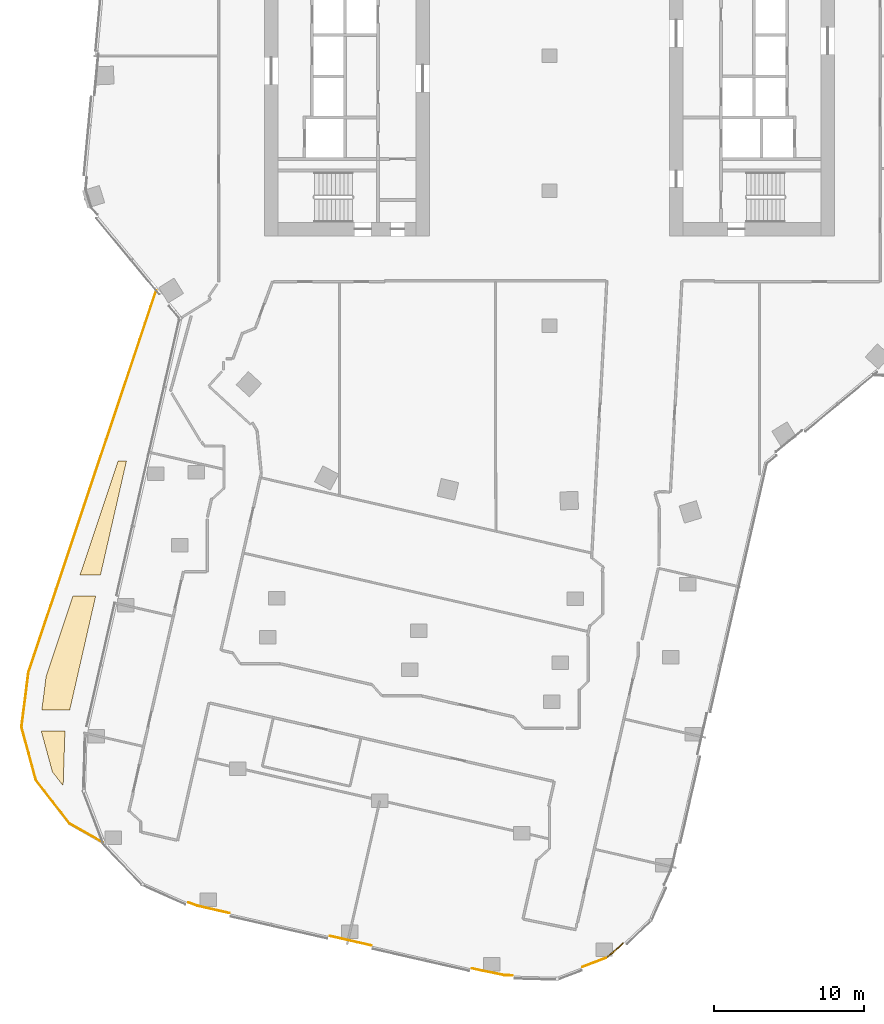
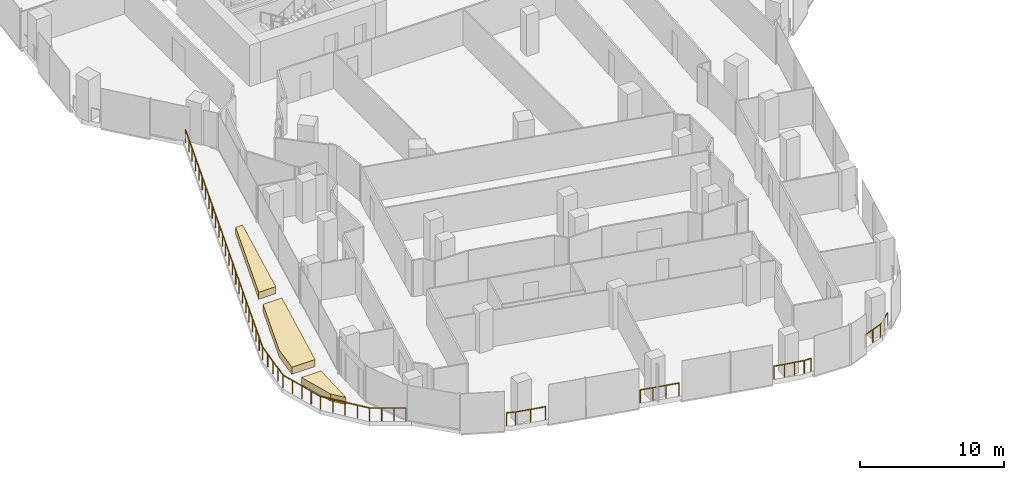
# One storey, part 24 of 28: 8 railings, 3 coverings.
"""IFC4 building model written with IfcOpenShell, lengths in metres."""

from ifc_helpers import new_model, si_unit, direction, frame, origin, origin_2d, place, context, subcontext, project, spatial, polyline, circle, outline, extrude, material, layer, layer_set, type_object, element, save


model = new_model("IFC4")

# Units and contexts
model_context = context("Model", 3, precision=1e-05, world=origin(), true_north=direction((0.0, 1.0)))
body_context = subcontext(model_context, "Body", "Model", "MODEL_VIEW")
ifc_project = project(units=[si_unit("LENGTHUNIT", "METRE"), si_unit("AREAUNIT", "SQUARE_METRE"), si_unit("VOLUMEUNIT", "CUBIC_METRE"), si_unit("PLANEANGLEUNIT", "RADIAN"), si_unit("MASSUNIT", "GRAM", prefix="KILO")], contexts=[model_context])

# Site, building, storey
site_placement = place(None, origin())
site = spatial("IfcSite", under=ifc_project, at=site_placement, CompositionType="ELEMENT")
building_placement = place(site_placement, origin())
building = spatial("IfcBuilding", under=site, at=building_placement, Name="Orlundy Tower", CompositionType="ELEMENT")
storey_placement = place(building_placement, frame((0.0, 0.0, 167.10009765625)))
storey = spatial("IfcBuildingStorey", under=building, at=storey_placement, Name="L43", CompositionType="ELEMENT", Elevation=167.10009765625)

# Coverings
ifc_material_1 = material(Name="Planted soil in precast concrete trough", Category="concrete")
ifc_layer = layer(ifc_material_1, 0.60009765625)
ifc_layer_set = layer_set([ifc_layer], Name="PLANTER box")
covering_type = type_object("IfcCoveringType", Name="PLANTER box", PredefinedType="USERDEFINED", material=ifc_layer_set)
covering_1_placement = place(storey_placement, origin())
element("IfcCovering", 1, at=covering_1_placement, inside=storey, type_object=covering_type, Name="PLANTER L43-10", ObjectType="PLANTER", PredefinedType="USERDEFINED", context=body_context, shape_type="SweptSolid", body=[
    extrude(outline(polyline([(-32.301025390625, -45.0), (-32.423095703125, -48.656982421875), (-33.138916015625, -47.73193359375), (-33.883056640625, -45.0), (-32.301025390625, -45.0)])), origin(), (0.0, 0.0, 1.0), 0.599853515625),
])
covering_2_placement = place(storey_placement, origin())
element("IfcCovering", 2, at=covering_2_placement, inside=storey, type_object=covering_type, Name="PLANTER L43-11", ObjectType="PLANTER", PredefinedType="USERDEFINED", context=body_context, shape_type="SweptSolid", body=[
    extrude(outline(polyline([(-33.55908203125, -41.361083984375), (-31.764892578125, -36.0), (-30.2509765625, -36.0), (-31.98193359375, -43.60009765625), (-33.843017578125, -43.60009765625), (-33.55908203125, -41.361083984375)])), origin(), (0.0, 0.0, 1.0), 0.599853515625),
])
covering_3_placement = place(storey_placement, origin())
element("IfcCovering", 3, at=covering_3_placement, inside=storey, type_object=covering_type, Name="PLANTER L43-12", ObjectType="PLANTER", PredefinedType="USERDEFINED", context=body_context, shape_type="SweptSolid", body=[
    extrude(outline(polyline([(-28.7529296875, -27.0), (-28.200927734375, -27.0), (-29.93310546875, -34.60009765625), (-31.297119140625, -34.60009765625), (-28.7529296875, -27.0)])), origin(), (0.0, 0.0, 1.0), 0.599853515625),
])

# Railings
ifc_material_2 = material(Name="Stainless steel bronze finish", Category="steel")
railing_type = type_object("IfcRailingType", Name="TG1 terrace guard", PredefinedType="GUARDRAIL", material=ifc_material_2)
railing_1_placement = place(storey_placement, frame((3.765869140625, -60.134033203125, 0.0)))
element("IfcRailing", 4, at=railing_1_placement, inside=storey, type_object=railing_type, Name="Guard TG-L43-E01", PredefinedType="GUARDRAIL", context=body_context, shape_type="SweptSolid", body=[
    extrude(circle(Radius=0.02490234375, at=origin_2d()), frame((0.0, 0.0, 1.09521484375), z_axis=(0.758971619654, 0.651123706034, 0.0), x_axis=(-0.651123706034, 0.758971619654, 0.0)), (0.0, 0.0, 1.0), 1.51220703125),
    extrude(circle(Radius=0.02490234375, at=origin_2d()), frame((1.147705078125, 0.984619140625, 1.09521484375), z_axis=(-0.726367191672, -0.687306847676, 0.0), x_axis=(0.687306847676, -0.726367191672, 0.0)), (0.0, 0.0, 1.0), 0.94384765625),
    extrude(circle(Radius=0.02490234375, at=origin_2d()), frame((0.462158203125, 0.3359375, 1.09521484375), z_axis=(-0.808963181077, -0.587859312813, 0.0), x_axis=(0.587859312813, -0.808963181077, 0.0)), (0.0, 0.0, 1.0), 0.51123046875),
    extrude(circle(Radius=0.02001953125, at=origin_2d()), origin(), (0.0, 0.0, 1.0), 1.070068359375),
    extrude(circle(Radius=0.02001953125, at=origin_2d()), frame((0.57373046875, 0.4921875, 0.0)), (0.0, 0.0, 1.0), 1.070068359375),
    extrude(circle(Radius=0.02001953125, at=origin_2d()), frame((1.147705078125, 0.984619140625, 0.0)), (0.0, 0.0, 1.0), 1.070068359375),
    extrude(circle(Radius=0.02001953125, at=origin_2d()), frame((0.462158203125, 0.3359375, 0.0)), (0.0, 0.0, 1.0), 1.070068359375),
    extrude(circle(Radius=0.02001953125, at=origin_2d()), frame((0.048583984375, 0.035400390625, 0.0)), (0.0, 0.0, 1.0), 1.070068359375),
])
railing_2_placement = place(storey_placement, frame((-21.3408203125, -57.14794921875, 0.0)))
element("IfcRailing", 5, at=railing_2_placement, inside=storey, type_object=railing_type, Name="Guard TG-L43-E05", PredefinedType="GUARDRAIL", context=body_context, shape_type="SweptSolid", body=[
    extrude(circle(Radius=0.02490234375, at=origin_2d()), frame((0.0, 0.0, 1.09521484375), z_axis=(-0.975014228884, 0.222142417096, 0.0), x_axis=(-0.222142417096, -0.975014228884, 0.0)), (0.0, 0.0, 1.0), 2.18603515625),
    extrude(circle(Radius=0.02490234375, at=origin_2d()), frame((-2.13134765625, 0.485595703125, 1.09521484375), z_axis=(-0.935899893891, 0.352266076446, 0.0), x_axis=(-0.352266076446, -0.935899893891, 0.0)), (0.0, 0.0, 1.0), 0.632080078125),
    extrude(circle(Radius=0.02001953125, at=origin_2d()), origin(), (0.0, 0.0, 1.0), 1.070068359375),
    extrude(circle(Radius=0.02001953125, at=origin_2d()), frame((-1.065673828125, 0.24267578125, 0.0)), (0.0, 0.0, 1.0), 1.070068359375),
    extrude(circle(Radius=0.02001953125, at=origin_2d()), frame((-2.13134765625, 0.485595703125, 0.0)), (0.0, 0.0, 1.0), 1.070068359375),
    extrude(circle(Radius=0.02001953125, at=origin_2d()), frame((-2.722900390625, 0.708251953125, 0.0)), (0.0, 0.0, 1.0), 1.070068359375),
])
railing_3_placement = place(storey_placement, frame((-11.886962890625, -59.30126953125, 0.0)))
element("IfcRailing", 6, at=railing_3_placement, inside=storey, type_object=railing_type, Name="Guard TG-L43-E06", PredefinedType="GUARDRAIL", context=body_context, shape_type="SweptSolid", body=[
    extrude(circle(Radius=0.02490234375, at=origin_2d()), frame((0.0, 0.0, 1.09521484375), z_axis=(-0.975018603855, 0.222123213861, 0.0), x_axis=(-0.222123213861, -0.975018603855, 0.0)), (0.0, 0.0, 1.0), 2.81591796875),
    extrude(circle(Radius=0.02001953125, at=origin_2d()), origin(), (0.0, 0.0, 1.0), 1.070068359375),
    extrude(circle(Radius=0.02001953125, at=origin_2d()), frame((-0.915283203125, 0.20849609375, 0.0)), (0.0, 0.0, 1.0), 1.070068359375),
    extrude(circle(Radius=0.02001953125, at=origin_2d()), frame((-1.830322265625, 0.4169921875, 0.0)), (0.0, 0.0, 1.0), 1.070068359375),
    extrude(circle(Radius=0.02001953125, at=origin_2d()), frame((-2.74560546875, 0.62548828125, 0.0)), (0.0, 0.0, 1.0), 1.070068359375),
])
railing_4_placement = place(storey_placement, frame((3.765869140625, -60.134033203125, 0.0)))
element("IfcRailing", 7, at=railing_4_placement, inside=storey, type_object=railing_type, Name="Guard TG-L43-E019", PredefinedType="GUARDRAIL", context=body_context, shape_type="SweptSolid", body=[
    extrude(circle(Radius=0.02490234375, at=origin_2d()), frame((0.0, 0.0, 1.09521484375), z_axis=(-0.934113291934, -0.356976690881, 0.0), x_axis=(0.356976690881, -0.934113291934, 0.0)), (0.0, 0.0, 1.0), 1.675537109375),
    extrude(circle(Radius=0.02001953125, at=origin_2d()), origin(), (0.0, 0.0, 1.0), 1.070068359375),
    extrude(circle(Radius=0.02001953125, at=origin_2d()), frame((-0.78271484375, -0.299072265625, 0.0)), (0.0, 0.0, 1.0), 1.070068359375),
    extrude(circle(Radius=0.02001953125, at=origin_2d()), frame((-1.565185546875, -0.59814453125, 0.0)), (0.0, 0.0, 1.0), 1.070068359375),
])
railing_5_placement = place(storey_placement, frame((-2.9990234375, -61.28662109375, 0.0)))
element("IfcRailing", 8, at=railing_5_placement, inside=storey, type_object=railing_type, Name="Guard TG-L43-E021", PredefinedType="GUARDRAIL", context=body_context, shape_type="SweptSolid", body=[
    extrude(circle(Radius=0.02490234375, at=origin_2d()), frame((0.0, 0.0, 1.09521484375), z_axis=(-0.98050968816, 0.196470739361, 0.0), x_axis=(-0.196470739361, -0.98050968816, 0.0)), (0.0, 0.0, 1.0), 1.456298828125),
    extrude(circle(Radius=0.02001953125, at=origin_2d()), origin(), (0.0, 0.0, 1.0), 1.070068359375),
    extrude(circle(Radius=0.02001953125, at=origin_2d()), frame((-0.7138671875, 0.14306640625, 0.0)), (0.0, 0.0, 1.0), 1.070068359375),
    extrude(circle(Radius=0.02001953125, at=origin_2d()), frame((-1.427978515625, 0.2861328125, 0.0)), (0.0, 0.0, 1.0), 1.070068359375),
])
railing_6_placement = place(storey_placement, frame((-4.427001953125, -61.00048828125, 0.0)))
element("IfcRailing", 9, at=railing_6_placement, inside=storey, type_object=railing_type, Name="Guard TG-L43-E024", PredefinedType="GUARDRAIL", context=body_context, shape_type="SweptSolid", body=[
    extrude(circle(Radius=0.02490234375, at=origin_2d()), frame((0.0, 0.0, 1.09521484375), z_axis=(-0.975048189375, 0.2219933071, 0.0), x_axis=(-0.2219933071, -0.975048189375, 0.0)), (0.0, 0.0, 1.0), 0.765380859375),
    extrude(circle(Radius=0.02001953125, at=origin_2d()), origin(), (0.0, 0.0, 1.0), 1.070068359375),
    extrude(circle(Radius=0.02001953125, at=origin_2d()), frame((-0.746337890625, 0.169921875, 0.0)), (0.0, 0.0, 1.0), 1.070068359375),
])
railing_7_placement = place(storey_placement, frame((-2.473388671875, -61.301025390625, 0.0)))
element("IfcRailing", 10, at=railing_7_placement, inside=storey, type_object=railing_type, Name="Guard TG-L43-E025", PredefinedType="GUARDRAIL", context=body_context, shape_type="SweptSolid", body=[
    extrude(circle(Radius=0.02490234375, at=origin_2d()), frame((0.0, 0.0, 1.09521484375), z_axis=(-0.999624732072, 0.027393339151, 0.0), x_axis=(-0.027393339151, -0.999624732072, 0.0)), (0.0, 0.0, 1.0), 0.52587890625),
    extrude(circle(Radius=0.02001953125, at=origin_2d()), origin(), (0.0, 0.0, 1.0), 1.070068359375),
    extrude(circle(Radius=0.02001953125, at=origin_2d()), frame((-0.525634765625, 0.014404296875, 0.0)), (0.0, 0.0, 1.0), 1.070068359375),
])
railing_8_placement = place(storey_placement, frame((-29.783935546875, -52.43603515625, 0.0)))
element("IfcRailing", 11, at=railing_8_placement, inside=storey, type_object=railing_type, Name="Guard TG-L43-10", PredefinedType="GUARDRAIL", context=body_context, shape_type="SweptSolid", body=[
    extrude(circle(Radius=0.02490234375, at=origin_2d()), frame((0.0, 0.0, 1.09521484375), z_axis=(-0.868320076307, 0.496004279299, 0.0), x_axis=(-0.496004279299, -0.868320076307, 0.0)), (0.0, 0.0, 1.0), 2.538330078125),
    extrude(circle(Radius=0.02490234375, at=origin_2d()), frame((-2.2041015625, 1.259033203125, 1.09521484375), z_axis=(-0.612432316917, 0.790523027619, 0.0), x_axis=(-0.790523027619, -0.612432316917, 0.0)), (0.0, 0.0, 1.0), 3.6669921875),
    extrude(circle(Radius=0.02490234375, at=origin_2d()), frame((-4.449951171875, 4.157958984375, 1.09521484375), z_axis=(-0.26266104217, 0.964888168093, 0.0), x_axis=(-0.964888168093, -0.26266104217, 0.0)), (0.0, 0.0, 1.0), 3.666748046875),
    extrude(circle(Radius=0.02490234375, at=origin_2d()), frame((-5.4130859375, 7.696044921875, 1.09521484375), z_axis=(0.125946608854, 0.992037021345, 0.0), x_axis=(-0.992037021345, 0.125946608854, 0.0)), (0.0, 0.0, 1.0), 3.67724609375),
    extrude(circle(Radius=0.02490234375, at=origin_2d()), frame((-4.949951171875, 11.343994140625, 1.09521484375), z_axis=(0.317294338595, 0.948327107435, 0.0), x_axis=(-0.948327107435, 0.317294338595, 0.0)), (0.0, 0.0, 1.0), 26.84521484375),
    extrude(circle(Radius=0.02001953125, at=origin_2d()), origin(), (0.0, 0.0, 1.0), 1.070068359375),
    extrude(circle(Radius=0.02001953125, at=origin_2d()), frame((-0.734619140625, 0.419677734375, 0.0)), (0.0, 0.0, 1.0), 1.070068359375),
    extrude(circle(Radius=0.02001953125, at=origin_2d()), frame((-1.469482421875, 0.83935546875, 0.0)), (0.0, 0.0, 1.0), 1.070068359375),
    extrude(circle(Radius=0.02001953125, at=origin_2d()), frame((-2.2041015625, 1.259033203125, 0.0)), (0.0, 0.0, 1.0), 1.070068359375),
    extrude(circle(Radius=0.02001953125, at=origin_2d()), frame((-2.765625, 1.98388671875, 0.0)), (0.0, 0.0, 1.0), 1.070068359375),
    extrude(circle(Radius=0.02001953125, at=origin_2d()), frame((-3.3271484375, 2.70849609375, 0.0)), (0.0, 0.0, 1.0), 1.070068359375),
    extrude(circle(Radius=0.02001953125, at=origin_2d()), frame((-3.888427734375, 3.43310546875, 0.0)), (0.0, 0.0, 1.0), 1.070068359375),
    extrude(circle(Radius=0.02001953125, at=origin_2d()), frame((-4.449951171875, 4.157958984375, 0.0)), (0.0, 0.0, 1.0), 1.070068359375),
    extrude(circle(Radius=0.02001953125, at=origin_2d()), frame((-4.690673828125, 5.04248046875, 0.0)), (0.0, 0.0, 1.0), 1.070068359375),
    extrude(circle(Radius=0.02001953125, at=origin_2d()), frame((-4.931640625, 5.927001953125, 0.0)), (0.0, 0.0, 1.0), 1.070068359375),
    extrude(circle(Radius=0.02001953125, at=origin_2d()), frame((-5.17236328125, 6.8115234375, 0.0)), (0.0, 0.0, 1.0), 1.070068359375),
    extrude(circle(Radius=0.02001953125, at=origin_2d()), frame((-5.4130859375, 7.696044921875, 0.0)), (0.0, 0.0, 1.0), 1.070068359375),
    extrude(circle(Radius=0.02001953125, at=origin_2d()), frame((-5.29736328125, 8.60791015625, 0.0)), (0.0, 0.0, 1.0), 1.070068359375),
    extrude(circle(Radius=0.02001953125, at=origin_2d()), frame((-5.181640625, 9.52001953125, 0.0)), (0.0, 0.0, 1.0), 1.070068359375),
    extrude(circle(Radius=0.02001953125, at=origin_2d()), frame((-5.065673828125, 10.43212890625, 0.0)), (0.0, 0.0, 1.0), 1.070068359375),
    extrude(circle(Radius=0.02001953125, at=origin_2d()), frame((-4.949951171875, 11.343994140625, 0.0)), (0.0, 0.0, 1.0), 1.070068359375),
    extrude(circle(Radius=0.02001953125, at=origin_2d()), frame((-4.57958984375, 12.450927734375, 0.0)), (0.0, 0.0, 1.0), 1.070068359375),
    extrude(circle(Radius=0.02001953125, at=origin_2d()), frame((-4.209228515625, 13.5576171875, 0.0)), (0.0, 0.0, 1.0), 1.070068359375),
    extrude(circle(Radius=0.02001953125, at=origin_2d()), frame((-3.8388671875, 14.66455078125, 0.0)), (0.0, 0.0, 1.0), 1.070068359375),
    extrude(circle(Radius=0.02001953125, at=origin_2d()), frame((-3.468505859375, 15.771484375, 0.0)), (0.0, 0.0, 1.0), 1.070068359375),
    extrude(circle(Radius=0.02001953125, at=origin_2d()), frame((-3.09814453125, 16.87841796875, 0.0)), (0.0, 0.0, 1.0), 1.070068359375),
    extrude(circle(Radius=0.02001953125, at=origin_2d()), frame((-2.72802734375, 17.985107421875, 0.0)), (0.0, 0.0, 1.0), 1.070068359375),
    extrude(circle(Radius=0.02001953125, at=origin_2d()), frame((-2.357666015625, 19.092041015625, 0.0)), (0.0, 0.0, 1.0), 1.070068359375),
    extrude(circle(Radius=0.02001953125, at=origin_2d()), frame((-1.9873046875, 20.198974609375, 0.0)), (0.0, 0.0, 1.0), 1.070068359375),
    extrude(circle(Radius=0.02001953125, at=origin_2d()), frame((-1.616943359375, 21.305908203125, 0.0)), (0.0, 0.0, 1.0), 1.070068359375),
    extrude(circle(Radius=0.02001953125, at=origin_2d()), frame((-1.24658203125, 22.41259765625, 0.0)), (0.0, 0.0, 1.0), 1.070068359375),
    extrude(circle(Radius=0.02001953125, at=origin_2d()), frame((-0.876220703125, 23.51953125, 0.0)), (0.0, 0.0, 1.0), 1.070068359375),
    extrude(circle(Radius=0.02001953125, at=origin_2d()), frame((-0.505859375, 24.62646484375, 0.0)), (0.0, 0.0, 1.0), 1.070068359375),
    extrude(circle(Radius=0.02001953125, at=origin_2d()), frame((-0.135498046875, 25.7333984375, 0.0)), (0.0, 0.0, 1.0), 1.070068359375),
    extrude(circle(Radius=0.02001953125, at=origin_2d()), frame((0.23486328125, 26.840087890625, 0.0)), (0.0, 0.0, 1.0), 1.070068359375),
    extrude(circle(Radius=0.02001953125, at=origin_2d()), frame((0.605224609375, 27.947021484375, 0.0)), (0.0, 0.0, 1.0), 1.070068359375),
    extrude(circle(Radius=0.02001953125, at=origin_2d()), frame((0.9755859375, 29.053955078125, 0.0)), (0.0, 0.0, 1.0), 1.070068359375),
    extrude(circle(Radius=0.02001953125, at=origin_2d()), frame((1.345947265625, 30.160888671875, 0.0)), (0.0, 0.0, 1.0), 1.070068359375),
    extrude(circle(Radius=0.02001953125, at=origin_2d()), frame((1.716064453125, 31.267578125, 0.0)), (0.0, 0.0, 1.0), 1.070068359375),
    extrude(circle(Radius=0.02001953125, at=origin_2d()), frame((2.08642578125, 32.37451171875, 0.0)), (0.0, 0.0, 1.0), 1.070068359375),
    extrude(circle(Radius=0.02001953125, at=origin_2d()), frame((2.456787109375, 33.4814453125, 0.0)), (0.0, 0.0, 1.0), 1.070068359375),
    extrude(circle(Radius=0.02001953125, at=origin_2d()), frame((2.8271484375, 34.58837890625, 0.0)), (0.0, 0.0, 1.0), 1.070068359375),
    extrude(circle(Radius=0.02001953125, at=origin_2d()), frame((3.197509765625, 35.695068359375, 0.0)), (0.0, 0.0, 1.0), 1.070068359375),
    extrude(circle(Radius=0.02001953125, at=origin_2d()), frame((3.56787109375, 36.802001953125, 0.0)), (0.0, 0.0, 1.0), 1.070068359375),
])

save(model, "model.ifc")
